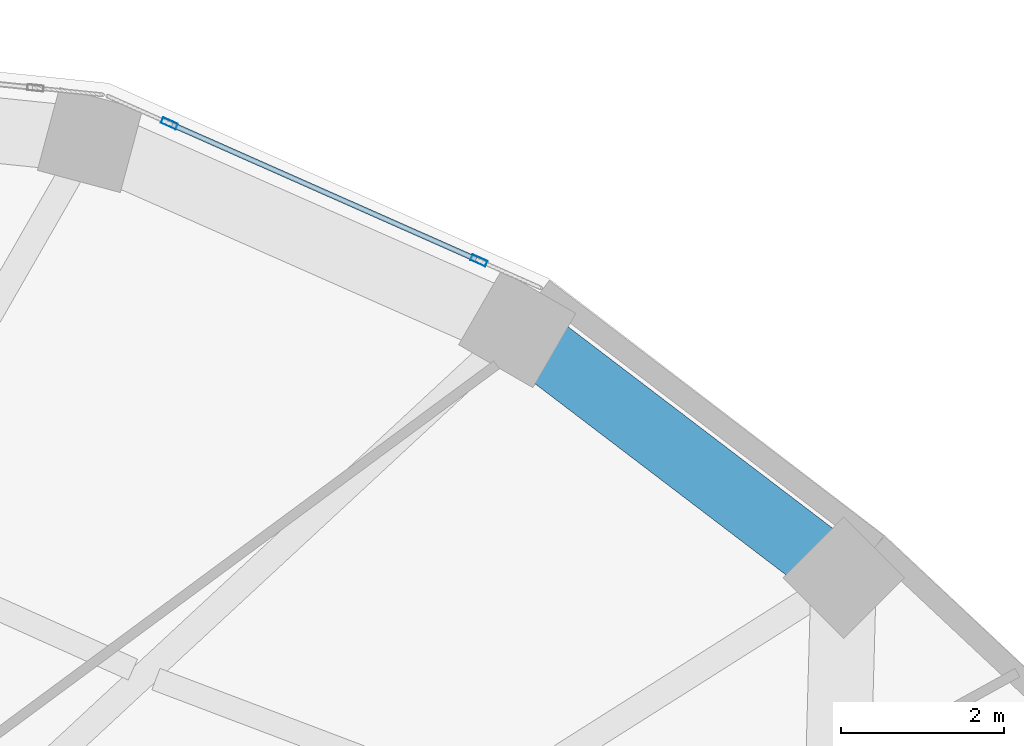
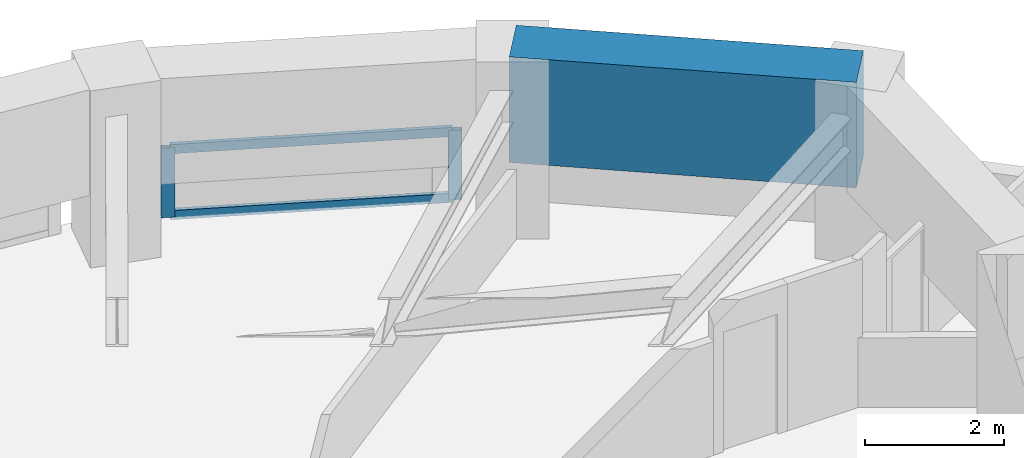
# One storey, part 10 of 19: 4 members, 1 beam, 1 element without a shape of its own.
"""IFC4 building model written with IfcOpenShell, lengths in metres."""

from ifc_helpers import new_model, si_unit, direction, frame, origin, origin_2d, place, context, subcontext, project, spatial, rectangle, hollow_rectangle, extrude, material, layer, layer_set, material_profile, profile_set, type_object, element, aggregate, save


model = new_model("IFC4")

# Units and contexts
model_context = context("Model", 3, precision=1e-05, world=origin(), true_north=direction((0.0, 1.0)))
body_context = subcontext(model_context, "Body", "Model", "MODEL_VIEW")
ifc_project = project(units=[si_unit("LENGTHUNIT", "METRE"), si_unit("AREAUNIT", "SQUARE_METRE"), si_unit("VOLUMEUNIT", "CUBIC_METRE"), si_unit("PLANEANGLEUNIT", "RADIAN"), si_unit("MASSUNIT", "GRAM", prefix="KILO")], contexts=[model_context])

# Site, building, storey
site_placement = place(None, origin())
site = spatial("IfcSite", under=ifc_project, at=site_placement, CompositionType="ELEMENT")
building_placement = place(site_placement, origin())
building = spatial("IfcBuilding", under=site, at=building_placement, Name="Solvane Sanctuary Tower", CompositionType="ELEMENT")
storey_placement = place(building_placement, frame((0.0, 0.0, 73.199951171875)))
storey = spatial("IfcBuildingStorey", under=building, at=storey_placement, Name="L21", CompositionType="ELEMENT", Elevation=73.199951171875)

# Beam
ifc_material_1 = material(Name="Concrete C70/85", Category="concrete")
ifc_material_profile_1 = material_profile(ifc_material_1, rectangle(XDim=0.800048828125, YDim=1.85009765625, at=origin_2d()), Name="RC800X1850")
ifc_profile_set_1 = profile_set([ifc_material_profile_1], Name="Concrete C70/85")
beam_type = type_object("IfcBeamType", Name="Beam B-XFER-BLK RC800X1850", PredefinedType="BEAM", material=ifc_profile_set_1)
beam_placement = place(storey_placement, frame((44.8583984375, 38.7861328125, 2.175048828125), z_axis=(0.795461851464, -0.606003665719, 0.0), x_axis=(0.606003665719, 0.795461851464, 0.0)))
element("IfcBeam", 1, at=beam_placement, inside=storey, type_object=beam_type, Name="L21 Perimeter Step Transfer Ring NTC02-NTC01", PredefinedType="BEAM", context=body_context, shape_type="SweptSolid", body=[
    extrude(rectangle(XDim=0.800048828125, YDim=1.85009765625, at=origin_2d()), origin(), (0.0, 0.0, 1.0), 5.021728515625),
])

# Curtain wall, members
ifc_material_2 = material(Name="Anodised Aluminium 6063-T6", Category="aluminium")
ifc_layer = layer(ifc_material_2, 0.18994140625, Name="Anodised Aluminium 6063-T6")
ifc_layer_set = layer_set([ifc_layer], Name="Anodised Aluminium 6063-T6")
curtain_wall_type = type_object("IfcCurtainWallType", Name="Curtain Wall CW-OPER", PredefinedType="NOTDEFINED", material=ifc_layer_set)
curtain_wall_placement = place(storey_placement, origin())
curtain_wall = element("IfcCurtainWall", 2, at=curtain_wall_placement, inside=storey, type_object=curtain_wall_type, Name="L21 CW-OPER Facade Run 04", PredefinedType="NOTDEFINED")
ifc_material_profile_2 = material_profile(ifc_material_2, hollow_rectangle(XDim=0.074951171875, YDim=0.199951171875, WallThickness=0.00390625, at=origin_2d()), Name="ALU200X75X4")
ifc_profile_set_2 = profile_set([ifc_material_profile_2], Name="Anodised Aluminium 6063-T6")
member_type_1 = type_object("IfcMemberType", Name="Member M-CW-MUL-1 ALU200X75X4", PredefinedType="MULLION", material=ifc_profile_set_2)
member_1_placement = place(storey_placement, frame((44.38916015625, 39.625244140625, 0.0), z_axis=(0.0, 0.0, 1.0), x_axis=(-0.404950504664, -0.914338607285, 0.0)))
member_1 = element("IfcMember", 3, at=member_1_placement, type_object=member_type_1, Name="CW-OPER mullion 1", PredefinedType="MULLION", context=body_context, shape_type="SweptSolid", body=[
    extrude(hollow_rectangle(XDim=0.074951171875, YDim=0.199951171875, WallThickness=0.00390625, at=origin_2d()), origin(), (0.0, 0.0, 1.0), 1.219970703125),
])
member_2_placement = place(storey_placement, frame((40.600341796875, 41.30322265625, 0.0), z_axis=(0.0, 0.0, 1.0), x_axis=(-0.404950504664, -0.914338607285, 0.0)))
member_2 = element("IfcMember", 4, at=member_2_placement, type_object=member_type_1, Name="CW-OPER mullion 2", PredefinedType="MULLION", context=body_context, shape_type="SweptSolid", body=[
    extrude(hollow_rectangle(XDim=0.074951171875, YDim=0.199951171875, WallThickness=0.00390625, at=origin_2d()), origin(), (0.0, 0.0, 1.0), 1.219970703125),
])
ifc_material_profile_3 = material_profile(ifc_material_2, hollow_rectangle(XDim=0.06494140625, YDim=0.159912109375, WallThickness=0.00341796875, at=origin_2d()), Name="ALU160X65X3.5")
ifc_profile_set_3 = profile_set([ifc_material_profile_3], Name="Anodised Aluminium 6063-T6")
member_type_2 = type_object("IfcMemberType", Name="Member M-CW-TRN-1 ALU160X65X3.5", PredefinedType="USERDEFINED", material=ifc_profile_set_3)
member_3_placement = place(storey_placement, frame((44.35498046875, 39.640380859375, 0.032470703125), z_axis=(-0.914332885629, 0.404963423357, 0.0), x_axis=(-0.404963423357, -0.914332885629, 0.0)))
member_3 = element("IfcMember", 5, at=member_3_placement, type_object=member_type_2, Name="CW-OPER transom 1.1", ObjectType="TRANSOM", PredefinedType="USERDEFINED", context=body_context, shape_type="SweptSolid", body=[
    extrude(hollow_rectangle(XDim=0.06494140625, YDim=0.159912109375, WallThickness=0.00341796875, at=origin_2d()), origin(), (0.0, 0.0, 1.0), 4.06884765625),
])
member_4_placement = place(storey_placement, frame((44.35498046875, 39.640380859375, 1.1875), z_axis=(-0.914332885629, 0.404963423357, 0.0), x_axis=(-0.404963423357, -0.914332885629, 0.0)))
member_4 = element("IfcMember", 6, at=member_4_placement, type_object=member_type_2, Name="CW-OPER transom 1.2", ObjectType="TRANSOM", PredefinedType="USERDEFINED", context=body_context, shape_type="SweptSolid", body=[
    extrude(hollow_rectangle(XDim=0.06494140625, YDim=0.159912109375, WallThickness=0.00341796875, at=origin_2d()), origin(), (0.0, 0.0, 1.0), 4.06884765625),
])
aggregate(curtain_wall, [member_1, member_2, member_3, member_4])

save(model, "model.ifc")
